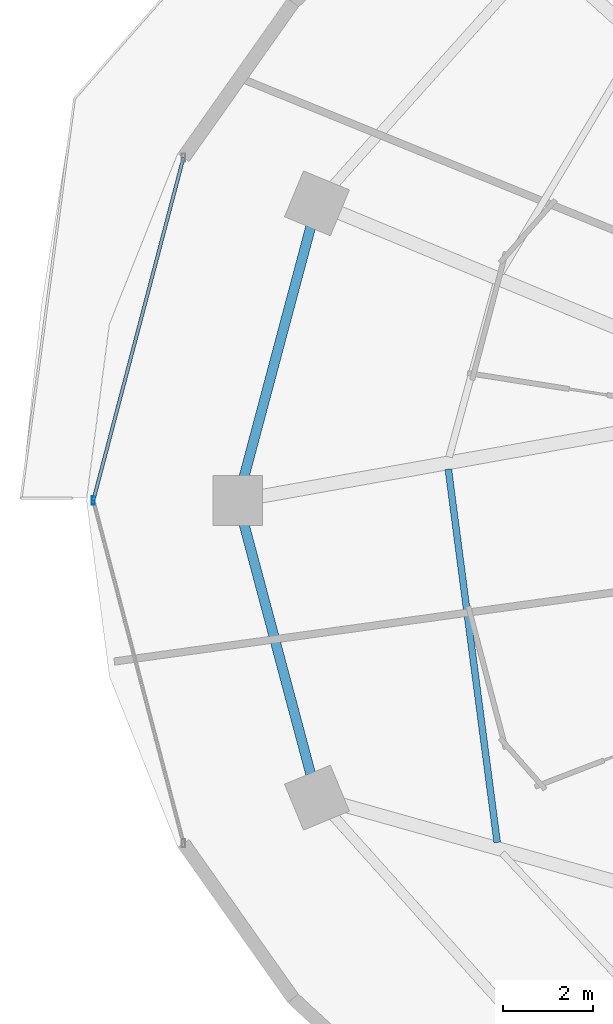
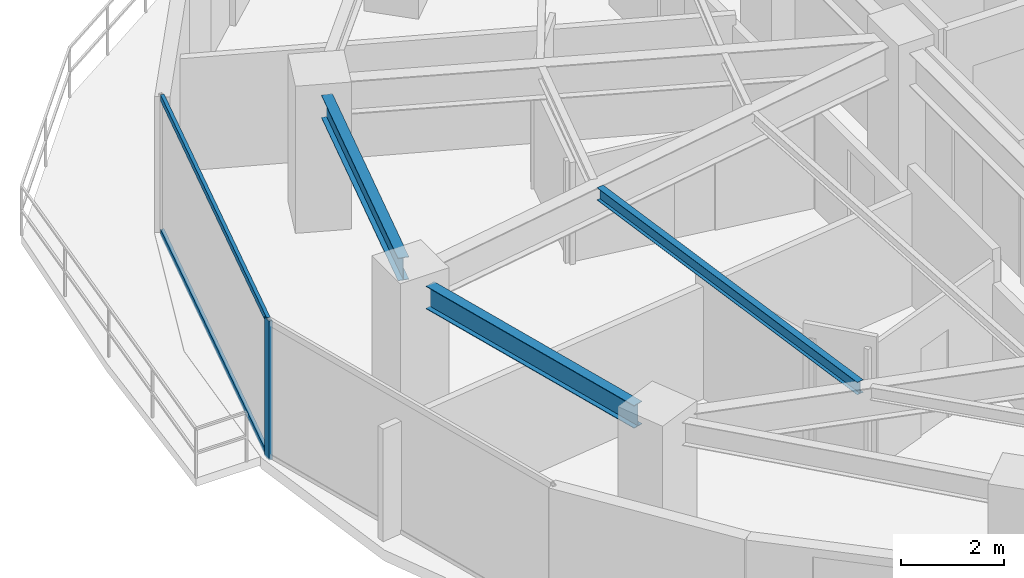
# One storey, part 6 of 30: 3 beams, 3 members, 1 element without a shape of its own.
"""IFC4 building model written with IfcOpenShell, lengths in metres."""

from ifc_helpers import new_model, si_unit, direction, frame, origin, origin_2d, place, context, subcontext, project, spatial, hollow_rectangle, i_section, extrude, material, material_profile, profile_set, type_object, element, aggregate, save


model = new_model("IFC4")

# Units and contexts
model_context = context("Model", 3, precision=1e-05, world=origin(), true_north=direction((0.0, 1.0)))
body_context = subcontext(model_context, "Body", "Model", "MODEL_VIEW")
ifc_project = project(units=[si_unit("LENGTHUNIT", "METRE"), si_unit("AREAUNIT", "SQUARE_METRE"), si_unit("VOLUMEUNIT", "CUBIC_METRE"), si_unit("PLANEANGLEUNIT", "RADIAN"), si_unit("MASSUNIT", "GRAM", prefix="KILO")], contexts=[model_context])

# Site, building, storey
site_placement = place(None, origin())
site = spatial("IfcSite", under=ifc_project, at=site_placement, CompositionType="ELEMENT")
building_placement = place(site_placement, origin())
building = spatial("IfcBuilding", under=site, at=building_placement, Name="Vorneva Point Tower", CompositionType="ELEMENT")
storey_placement = place(building_placement, frame((0.0, 0.0, 96.300048828125)))
storey = spatial("IfcBuildingStorey", under=building, at=storey_placement, Name="L25", CompositionType="ELEMENT", Elevation=96.300048828125)

# Beams
ifc_material_1 = material(Name="Steel S355", Category="steel")
ifc_material_profile_1 = material_profile(ifc_material_1, i_section(OverallWidth=0.14892578125, OverallDepth=0.298095703125, WebThickness=0.005615234375, FlangeThickness=0.008056640625, at=origin_2d()), Name="30B1")
ifc_profile_set_1 = profile_set([ifc_material_profile_1], Name="Steel S355")
beam_type_1 = type_object("IfcBeamType", Name="BM-JST-30B1", PredefinedType="JOIST", material=ifc_profile_set_1)
beam_placement = place(storey_placement, frame((19.614501953125, 26.694091796875, 3.091064453125), z_axis=(0.129791026269, -0.991541370544, 0.0), x_axis=(0.991541370544, 0.129791026269, 0.0)))
element("IfcBeam", 1, at=beam_placement, inside=storey, type_object=beam_type_1, Name="L25 Secondary Floor Beam 1.09", PredefinedType="JOIST", context=body_context, shape_type="SweptSolid", body=[
    extrude(i_section(OverallWidth=0.14892578125, OverallDepth=0.298095703125, WebThickness=0.005615234375, FlangeThickness=0.008056640625, at=origin_2d()), origin(), (0.0, 0.0, 1.0), 8.338623046875),
])
ifc_material_profile_2 = material_profile(ifc_material_1, i_section(OverallWidth=0.219970703125, OverallDepth=0.54296875, WebThickness=0.009521484375, FlangeThickness=0.013427734375, at=origin_2d()), Name="55B1")
ifc_profile_set_2 = profile_set([ifc_material_profile_2], Name="Steel S355")
beam_type_2 = type_object("IfcBeamType", Name="BM-SPN-55B1", PredefinedType="SPANDREL", material=ifc_profile_set_2)
for number, where, z_axis, x_axis, name in (
    (2, (16.56689453125, 32.065185546875, 2.968505859375), (-0.257572674071, -0.966258928845, 0.0), (0.966258928845, -0.257572674071, 0.0), "L25 Perimeter Spandrel Ring Beam 08"),
    (3, (15.087890625, 25.483154296875, 2.968505859375), (0.257572674071, -0.966258928845, 0.0), (0.966258928845, 0.257572674071, 0.0), "L25 Perimeter Spandrel Ring Beam 09"),
):
    element("IfcBeam", number, at=place(storey_placement, frame(where, z_axis=z_axis, x_axis=x_axis)), inside=storey, type_object=beam_type_2, Name=name, PredefinedType="SPANDREL", context=body_context, shape_type="SweptSolid", body=[
        extrude(i_section(OverallWidth=0.219970703125, OverallDepth=0.54296875, WebThickness=0.009521484375, FlangeThickness=0.013427734375, at=origin_2d()), origin(), (0.0, 0.0, 1.0), 5.7421875),
    ])

# Curtain wall, members
ifc_material_2 = material(Name="Pale anodised aluminium", Category="aluminium")
curtain_wall_type = type_object("IfcCurtainWallType", Name="CW-HTL-SYS", PredefinedType="NOTDEFINED", material=ifc_material_2)
curtain_wall_placement = place(storey_placement, origin())
curtain_wall = element("IfcCurtainWall", 4, at=curtain_wall_placement, inside=storey, type_object=curtain_wall_type, Name="L25 Unitised Curtain Wall CW-L25-R03", PredefinedType="NOTDEFINED")
ifc_material_profile_3 = material_profile(ifc_material_2, hollow_rectangle(XDim=0.074951171875, YDim=0.179931640625, WallThickness=0.00390625, at=origin_2d()), Name="AL-MUL 180x75x4")
ifc_profile_set_3 = profile_set([ifc_material_profile_3], Name="Pale anodised aluminium")
member_type_1 = type_object("IfcMemberType", Name="CW-MUL-180", PredefinedType="MULLION", material=ifc_profile_set_3)
member_1_placement = place(storey_placement, frame((11.75, 26.0, -0.0400390625), z_axis=(0.0, 0.0, 1.0), x_axis=(1.0, 0.0, 0.0)))
member_1 = element("IfcMember", 5, at=member_1_placement, type_object=member_type_1, Name="CW-L25-R03 Mullion 02", PredefinedType="MULLION", context=body_context, shape_type="SweptSolid", body=[
    extrude(hollow_rectangle(XDim=0.074951171875, YDim=0.179931640625, WallThickness=0.00390625, at=origin_2d()), origin(), (0.0, 0.0, 1.0), 3.31005859375),
])
ifc_material_profile_4 = material_profile(ifc_material_2, hollow_rectangle(XDim=0.074951171875, YDim=0.14990234375, WallThickness=0.00390625, at=origin_2d()), Name="AL-TRN 150x75x4")
ifc_profile_set_4 = profile_set([ifc_material_profile_4], Name="Pale anodised aluminium")
member_type_2 = type_object("IfcMemberType", Name="CW-TRN-150", PredefinedType="USERDEFINED", material=ifc_profile_set_4)
member_2_placement = place(storey_placement, frame((13.748291015625, 33.59619140625, 0.02001953125), z_axis=(-0.254409150465, -0.967096677773, 0.0), x_axis=(0.967096677773, -0.254409150465, 0.0)))
member_2 = element("IfcMember", 6, at=member_2_placement, type_object=member_type_2, Name="CW-L25-R03 Transom 01.1", ObjectType="TRANSOM", PredefinedType="USERDEFINED", context=body_context, shape_type="SweptSolid", body=[
    extrude(hollow_rectangle(XDim=0.074951171875, YDim=0.14990234375, WallThickness=0.00390625, at=origin_2d()), origin(), (0.0, 0.0, 1.0), 7.854736328125),
])
member_3_placement = place(storey_placement, frame((13.748291015625, 33.59619140625, 3.219970703125), z_axis=(-0.254409150465, -0.967096677773, 0.0), x_axis=(0.967096677773, -0.254409150465, 0.0)))
member_3 = element("IfcMember", 7, at=member_3_placement, type_object=member_type_2, Name="CW-L25-R03 Transom 01.2", ObjectType="TRANSOM", PredefinedType="USERDEFINED", context=body_context, shape_type="SweptSolid", body=[
    extrude(hollow_rectangle(XDim=0.074951171875, YDim=0.14990234375, WallThickness=0.00390625, at=origin_2d()), origin(), (0.0, 0.0, 1.0), 7.854736328125),
])
aggregate(curtain_wall, [member_1, member_2, member_3])

save(model, "model.ifc")
